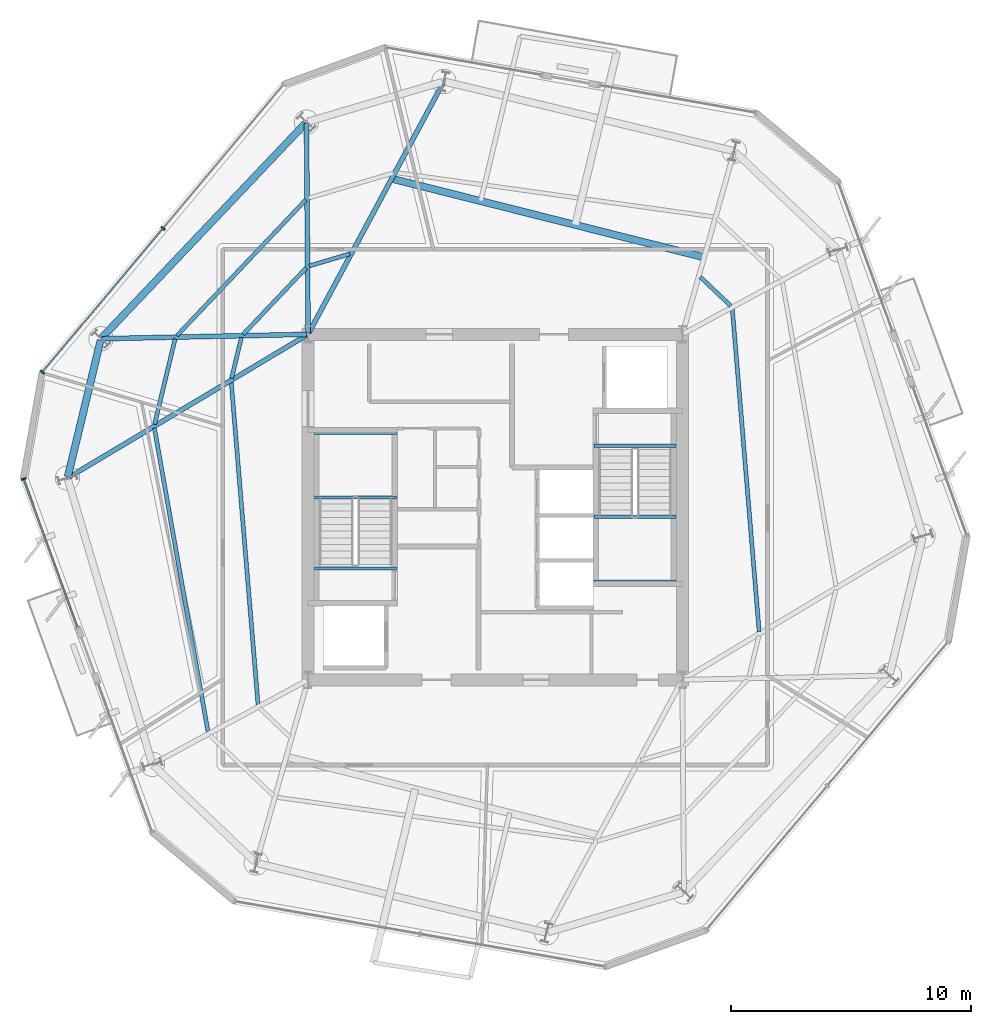
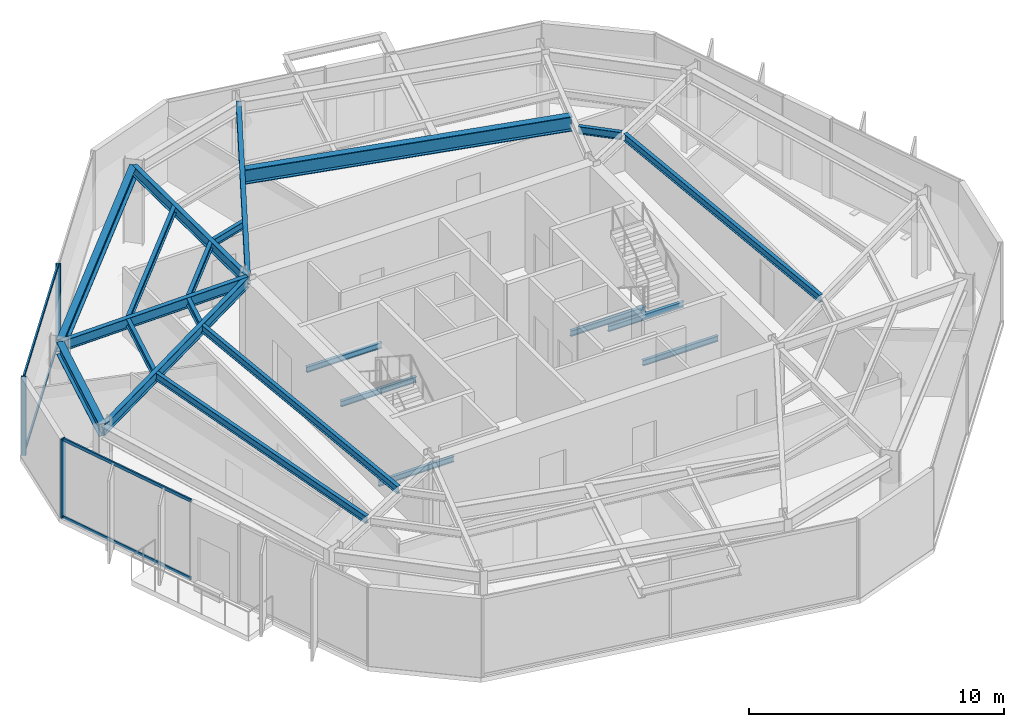
# One storey, part 3 of 11: 22 beams, 7 members, 2 elements without a shape of their own.
"""IFC4 building model written with IfcOpenShell, lengths in metres."""

from ifc_helpers import new_model, si_unit, direction, frame, origin, origin_2d, place, context, subcontext, project, spatial, rectangle, i_section, extrude, material, layer, layer_set, material_profile, profile_set, type_object, element, aggregate, save


model = new_model("IFC4")

# Units and contexts
model_context = context("Model", 3, precision=1e-05, world=origin(), true_north=direction((0.0, 1.0)))
body_context = subcontext(model_context, "Body", "Model", "MODEL_VIEW")
ifc_project = project(units=[si_unit("LENGTHUNIT", "METRE"), si_unit("AREAUNIT", "SQUARE_METRE"), si_unit("VOLUMEUNIT", "CUBIC_METRE"), si_unit("PLANEANGLEUNIT", "RADIAN"), si_unit("MASSUNIT", "GRAM", prefix="KILO")], contexts=[model_context])

# Site, building, storey
site_placement = place(None, origin())
site = spatial("IfcSite", under=ifc_project, at=site_placement, CompositionType="ELEMENT")
building_placement = place(site_placement, origin())
building = spatial("IfcBuilding", under=site, at=building_placement, Name="Kranzbogen Civic Tower", CompositionType="ELEMENT")
storey_placement = place(building_placement, frame((0.0, 0.0, 224.800048828125)))
storey = spatial("IfcBuildingStorey", under=building, at=storey_placement, Name="L54", CompositionType="ELEMENT", Elevation=224.800048828125)

# Curtain wall, members
ifc_material_1 = material(Name="Pale Anodised Aluminium", Category="aluminium")
ifc_layer = layer(ifc_material_1, 0.219970703125, Name="Pale Anodised Aluminium")
ifc_layer_set = layer_set([ifc_layer], Name="Pale Anodised Aluminium")
curtain_wall_type = type_object("IfcCurtainWallType", Name="Zone 3 Stick Curtain Wall System CW-04", PredefinedType="USERDEFINED", material=ifc_layer_set)
curtain_wall_1_placement = place(storey_placement, origin())
curtain_wall_1 = element("IfcCurtainWall", 1, at=curtain_wall_1_placement, inside=storey, type_object=curtain_wall_type, Name="L54 curtain wall CW-L54-F2", ObjectType="STICK CURTAIN WALL", PredefinedType="USERDEFINED")
ifc_material_profile_1 = material_profile(ifc_material_1, rectangle(XDim=0.070068359375, YDim=0.199951171875, at=origin_2d()), Name="ALU-M 70x200")
ifc_profile_set_1 = profile_set([ifc_material_profile_1], Name="Pale Anodised Aluminium")
member_type_1 = type_object("IfcMemberType", Name="Curtain Wall Mullion ALU-M 70x200", PredefinedType="MULLION", material=ifc_profile_set_1)
member_1_placement = place(storey_placement, frame((11.156005859375, 36.616455078125, 0.0), z_axis=(0.0, 0.0, 1.0), x_axis=(-0.642754513529, -0.766072212874, 0.0)))
member_1 = element("IfcMember", 2, at=member_1_placement, type_object=member_type_1, Name="CW-04 mullion 2", PredefinedType="MULLION", context=body_context, shape_type="SweptSolid", body=[
    extrude(rectangle(XDim=0.070068359375, YDim=0.199951171875, at=origin_2d()), origin(), (0.0, 0.0, 1.0), 3.780029296875),
])
member_2_placement = place(storey_placement, frame((6.127197265625, 30.623046875, 0.0), z_axis=(0.0, 0.0, 1.0), x_axis=(-0.642754513529, -0.766072212874, 0.0)))
member_2 = element("IfcMember", 3, at=member_2_placement, type_object=member_type_1, Name="CW-04 mullion 3", PredefinedType="MULLION", context=body_context, shape_type="SweptSolid", body=[
    extrude(rectangle(XDim=0.070068359375, YDim=0.199951171875, at=origin_2d()), origin(), (0.0, 0.0, 1.0), 3.780029296875),
])

# Curtain wall, member
curtain_wall_2_placement = place(storey_placement, origin())
curtain_wall_2 = element("IfcCurtainWall", 4, at=curtain_wall_2_placement, inside=storey, type_object=curtain_wall_type, Name="L54 curtain wall CW-L54-F3-S1", ObjectType="STICK CURTAIN WALL", PredefinedType="USERDEFINED")
member_3_placement = place(storey_placement, frame((5.34228515625, 26.1708984375, 0.0), z_axis=(0.0, 0.0, 1.0), x_axis=(0.342032633583, -0.93968807461, 0.0)))
member_3 = element("IfcMember", 5, at=member_3_placement, type_object=member_type_1, Name="CW-04 mullion 1", PredefinedType="MULLION", context=body_context, shape_type="SweptSolid", body=[
    extrude(rectangle(XDim=0.070068359375, YDim=0.199951171875, at=origin_2d()), origin(), (0.0, 0.0, 1.0), 3.780029296875),
])

# Member
ifc_material_profile_2 = material_profile(ifc_material_1, rectangle(XDim=0.070068359375, YDim=0.14990234375, at=origin_2d()), Name="ALU-T 70x150")
ifc_profile_set_2 = profile_set([ifc_material_profile_2], Name="Pale Anodised Aluminium")
member_type_2 = type_object("IfcMemberType", Name="Curtain Wall Transom ALU-T 70x150", PredefinedType="USERDEFINED", material=ifc_profile_set_2)
member_4_placement = place(storey_placement, frame((11.13671875, 36.593505859375, 0.030029296875), z_axis=(-0.642763507001, -0.766064667028, 0.0), x_axis=(0.766064667028, -0.642763507001, 0.0)))
member_4 = element("IfcMember", 6, at=member_4_placement, type_object=member_type_2, Name="CW-04 transom 2.1", ObjectType="TRANSOM", PredefinedType="USERDEFINED", context=body_context, shape_type="SweptSolid", body=[
    extrude(rectangle(XDim=0.070068359375, YDim=0.14990234375, at=origin_2d()), origin(), (0.0, 0.0, 1.0), 7.763671875),
])

member_5_placement = place(storey_placement, frame((11.13671875, 36.593505859375, 3.75), z_axis=(-0.642763507001, -0.766064667028, 0.0), x_axis=(0.766064667028, -0.642763507001, 0.0)))
member_5 = element("IfcMember", 7, at=member_5_placement, type_object=member_type_2, Name="CW-04 transom 2.2", ObjectType="TRANSOM", PredefinedType="USERDEFINED", context=body_context, shape_type="SweptSolid", body=[
    extrude(rectangle(XDim=0.070068359375, YDim=0.14990234375, at=origin_2d()), origin(), (0.0, 0.0, 1.0), 7.763671875),
])

aggregate(curtain_wall_1, [member_1, member_2, member_4, member_5])

member_6_placement = place(storey_placement, frame((5.3525390625, 26.142578125, 0.030029296875), z_axis=(0.342025046316, -0.939690836229, 0.0), x_axis=(0.939690836229, 0.342025046316, 0.0)))
member_6 = element("IfcMember", 8, at=member_6_placement, type_object=member_type_2, Name="CW-04 transom 1.1", ObjectType="TRANSOM", PredefinedType="USERDEFINED", context=body_context, shape_type="SweptSolid", body=[
    extrude(rectangle(XDim=0.070068359375, YDim=0.14990234375, at=origin_2d()), origin(), (0.0, 0.0, 1.0), 6.5341796875),
])

member_7_placement = place(storey_placement, frame((5.3525390625, 26.142578125, 3.75), z_axis=(0.342025046316, -0.939690836229, 0.0), x_axis=(0.939690836229, 0.342025046316, 0.0)))
member_7 = element("IfcMember", 9, at=member_7_placement, type_object=member_type_2, Name="CW-04 transom 1.2", ObjectType="TRANSOM", PredefinedType="USERDEFINED", context=body_context, shape_type="SweptSolid", body=[
    extrude(rectangle(XDim=0.070068359375, YDim=0.14990234375, at=origin_2d()), origin(), (0.0, 0.0, 1.0), 6.5341796875),
])

aggregate(curtain_wall_2, [member_3, member_6, member_7])

# Beams
ifc_material_2 = material(Name="Steel S355", Category="steel")
ifc_material_profile_3 = material_profile(ifc_material_2, i_section(OverallWidth=0.300048828125, OverallDepth=0.60009765625, WebThickness=0.015380859375, FlangeThickness=0.030029296875, at=origin_2d()), Name="HEB 600")
ifc_profile_set_3 = profile_set([ifc_material_profile_3], Name="Steel S355")
beam_type_1 = type_object("IfcBeamType", Name="Perimeter Tube Spandrel Beam HEB 600", PredefinedType="SPANDREL", material=ifc_profile_set_3)
beam_1_placement = place(storey_placement, frame((17.092041015625, 41.0, 3.47998046875), z_axis=(-0.688373497874, -0.725356414065, 0.0), x_axis=(0.725356414065, -0.688373497874, 0.0)))
element("IfcBeam", 10, at=beam_1_placement, inside=storey, type_object=beam_type_1, Name="L54 perimeter spandrel beam 10", PredefinedType="SPANDREL", context=body_context, shape_type="SweptSolid", body=[
    extrude(i_section(OverallWidth=0.300048828125, OverallDepth=0.60009765625, WebThickness=0.015380859375, FlangeThickness=0.030029296875, at=origin_2d()), origin(), (0.0, 0.0, 1.0), 12.324951171875),
])
beam_2_placement = place(storey_placement, frame((8.552978515625, 31.9580078125, 3.47998046875), z_axis=(-0.233554380434, -0.972343741369, 0.0), x_axis=(0.972343741369, -0.233554380434, 0.0)))
element("IfcBeam", 11, at=beam_2_placement, inside=storey, type_object=beam_type_1, Name="L54 perimeter spandrel beam 11", PredefinedType="SPANDREL", context=body_context, shape_type="SweptSolid", body=[
    extrude(i_section(OverallWidth=0.300048828125, OverallDepth=0.60009765625, WebThickness=0.015380859375, FlangeThickness=0.030029296875, at=origin_2d()), origin(), (0.0, 0.0, 1.0), 5.852783203125),
])
ifc_material_profile_4 = material_profile(ifc_material_2, i_section(OverallWidth=0.300048828125, OverallDepth=0.699951171875, WebThickness=0.01708984375, FlangeThickness=0.031982421875, at=origin_2d()), Name="HEB 700")
ifc_profile_set_4 = profile_set([ifc_material_profile_4], Name="Steel S355")
beam_type_2 = type_object("IfcBeamType", Name="Perimeter Tube Spandrel Beam HEB 700", PredefinedType="SPANDREL", material=ifc_profile_set_4)
beam_3_placement = place(storey_placement, frame((33.7080078125, 35.408935546875, 3.39990234375), z_axis=(-0.969754167823, 0.244083702834, 0.0), x_axis=(-0.244083702834, -0.969754167823, 0.0)))
element("IfcBeam", 12, at=beam_3_placement, inside=storey, type_object=beam_type_2, Name="L55 balcony back-span header girder L55-TB2", PredefinedType="SPANDREL", context=body_context, shape_type="SweptSolid", body=[
    extrude(i_section(OverallWidth=0.300048828125, OverallDepth=0.699951171875, WebThickness=0.01708984375, FlangeThickness=0.031982421875, at=origin_2d()), origin(), (0.0, 0.0, 1.0), 13.43017578125),
])
ifc_material_profile_5 = material_profile(ifc_material_2, i_section(OverallWidth=0.199951171875, OverallDepth=0.5, WebThickness=0.01025390625, FlangeThickness=0.01611328125, at=origin_2d()), Name="IPE 500")
ifc_profile_set_5 = profile_set([ifc_material_profile_5], Name="Steel S355")
beam_type_3 = type_object("IfcBeamType", Name="Radial Tower Floor Girder IPE 500", PredefinedType="BEAM", material=ifc_profile_set_5)
beam_4_placement = place(storey_placement, frame((22.83203125, 42.68701171875, 3.530029296875), z_axis=(-0.473160413549, -0.880976289721, 0.0), x_axis=(0.880976289721, -0.473160413549, 0.0)))
element("IfcBeam", 13, at=beam_4_placement, inside=storey, type_object=beam_type_3, Name="L54 radial floor girder 09", PredefinedType="BEAM", context=body_context, shape_type="SweptSolid", body=[
    extrude(i_section(OverallWidth=0.199951171875, OverallDepth=0.5, WebThickness=0.01025390625, FlangeThickness=0.01611328125, at=origin_2d()), origin(), (0.0, 0.0, 1.0), 11.84375),
])
beam_5_placement = place(storey_placement, frame((17.133056640625, 40.98388671875, 3.530029296875), z_axis=(0.007667756557, -0.999970602323, 0.0), x_axis=(0.999970602323, 0.007667756557, 0.0)))
element("IfcBeam", 14, at=beam_5_placement, inside=storey, type_object=beam_type_3, Name="L54 radial floor girder 10", PredefinedType="BEAM", context=body_context, shape_type="SweptSolid", body=[
    extrude(i_section(OverallWidth=0.199951171875, OverallDepth=0.5, WebThickness=0.01025390625, FlangeThickness=0.01611328125, at=origin_2d()), origin(), (0.0, 0.0, 1.0), 8.72412109375),
])
beam_6_placement = place(storey_placement, frame((8.626953125, 32.01708984375, 3.530029296875), z_axis=(0.99977183191, 0.021360808018, 0.0), x_axis=(-0.021360808018, 0.99977183191, 0.0)))
element("IfcBeam", 15, at=beam_6_placement, inside=storey, type_object=beam_type_3, Name="L54 radial floor girder 11", PredefinedType="BEAM", context=body_context, shape_type="SweptSolid", body=[
    extrude(i_section(OverallWidth=0.199951171875, OverallDepth=0.5, WebThickness=0.01025390625, FlangeThickness=0.01611328125, at=origin_2d()), origin(), (0.0, 0.0, 1.0), 8.514892578125),
])
beam_7_placement = place(storey_placement, frame((7.22412109375, 26.239990234375, 3.530029296875), z_axis=(0.858458551809, 0.512882944565, 0.0), x_axis=(-0.512882944565, 0.858458551809, 0.0)))
element("IfcBeam", 16, at=beam_7_placement, inside=storey, type_object=beam_type_3, Name="L54 radial floor girder 12", PredefinedType="BEAM", context=body_context, shape_type="SweptSolid", body=[
    extrude(i_section(OverallWidth=0.199951171875, OverallDepth=0.5, WebThickness=0.01025390625, FlangeThickness=0.01611328125, at=origin_2d()), origin(), (0.0, 0.0, 1.0), 11.56005859375),
])
ifc_material_profile_6 = material_profile(ifc_material_2, i_section(OverallWidth=0.169921875, OverallDepth=0.360107421875, WebThickness=0.008056640625, FlangeThickness=0.0126953125, at=origin_2d()), Name="IPE 360")
ifc_profile_set_6 = profile_set([ifc_material_profile_6], Name="Steel S355")
beam_type_4 = type_object("IfcBeamType", Name="Secondary Composite Floor Joist IPE 360", PredefinedType="JOIST", material=ifc_profile_set_6)
beam_8_placement = place(storey_placement, frame((36.001953125, 19.797119140625, 3.599853515625), z_axis=(-0.082825426692, 0.996564071544, 0.0), x_axis=(-0.996564071544, -0.082825426692, 0.0)))
element("IfcBeam", 17, at=beam_8_placement, inside=storey, type_object=beam_type_4, Name="L54 secondary floor joist 2.06", PredefinedType="JOIST", context=body_context, shape_type="SweptSolid", body=[
    extrude(i_section(OverallWidth=0.169921875, OverallDepth=0.360107421875, WebThickness=0.008056640625, FlangeThickness=0.0126953125, at=origin_2d()), origin(), (0.0, 0.0, 1.0), 13.497314453125),
])
beam_9_placement = place(storey_placement, frame((34.820068359375, 33.383056640625, 3.599853515625), z_axis=(-0.725479767774, 0.688243493649, 0.0), x_axis=(-0.688243493649, -0.725479767774, 0.0)))
element("IfcBeam", 18, at=beam_9_placement, inside=storey, type_object=beam_type_4, Name="L54 secondary floor joist 2.07", PredefinedType="JOIST", context=body_context, shape_type="SweptSolid", body=[
    extrude(i_section(OverallWidth=0.169921875, OverallDepth=0.360107421875, WebThickness=0.008056640625, FlangeThickness=0.0126953125, at=origin_2d()), origin(), (0.0, 0.0, 1.0), 1.75048828125),
])
beam_10_placement = place(storey_placement, frame((18.93408203125, 35.550048828125, 3.599853515625), z_axis=(-0.958871214757, -0.283841493638, 0.0), x_axis=(0.283841493638, -0.958871214757, 0.0)))
element("IfcBeam", 19, at=beam_10_placement, inside=storey, type_object=beam_type_4, Name="L54 secondary floor joist 2.09", PredefinedType="JOIST", context=body_context, shape_type="SweptSolid", body=[
    extrude(i_section(OverallWidth=0.169921875, OverallDepth=0.360107421875, WebThickness=0.008056640625, FlangeThickness=0.0126953125, at=origin_2d()), origin(), (0.0, 0.0, 1.0), 1.751220703125),
])
beam_11_placement = place(storey_placement, frame((17.10205078125, 37.802001953125, 3.599853515625), z_axis=(-0.688282381634, -0.725442873789, 0.0), x_axis=(0.725442873789, -0.688282381634, 0.0)))
element("IfcBeam", 20, at=beam_11_placement, inside=storey, type_object=beam_type_4, Name="L54 secondary floor joist 1.10", PredefinedType="JOIST", context=body_context, shape_type="SweptSolid", body=[
    extrude(i_section(OverallWidth=0.169921875, OverallDepth=0.360107421875, WebThickness=0.008056640625, FlangeThickness=0.0126953125, at=origin_2d()), origin(), (0.0, 0.0, 1.0), 7.804931640625),
])
beam_12_placement = place(storey_placement, frame((17.123046875, 34.971923828125, 3.599853515625), z_axis=(-0.688175084876, -0.725544659243, 0.0), x_axis=(0.725544659243, -0.688175084876, 0.0)))
element("IfcBeam", 21, at=beam_12_placement, inside=storey, type_object=beam_type_4, Name="L54 secondary floor joist 2.10", PredefinedType="JOIST", context=body_context, shape_type="SweptSolid", body=[
    extrude(i_section(OverallWidth=0.169921875, OverallDepth=0.360107421875, WebThickness=0.008056640625, FlangeThickness=0.0126953125, at=origin_2d()), origin(), (0.0, 0.0, 1.0), 3.82177734375),
])
beam_13_placement = place(storey_placement, frame((11.656005859375, 32.00390625, 3.599853515625), z_axis=(-0.233534367714, -0.972348548154, 0.0), x_axis=(0.972348548154, -0.233534367714, 0.0)))
element("IfcBeam", 22, at=beam_13_placement, inside=storey, type_object=beam_type_4, Name="L54 secondary floor joist 1.11", PredefinedType="JOIST", context=body_context, shape_type="SweptSolid", body=[
    extrude(i_section(OverallWidth=0.169921875, OverallDepth=0.360107421875, WebThickness=0.008056640625, FlangeThickness=0.0126953125, at=origin_2d()), origin(), (0.0, 0.0, 1.0), 3.6611328125),
])
beam_14_placement = place(storey_placement, frame((14.4189453125, 32.06298828125, 3.599853515625), z_axis=(-0.233631438607, -0.972325228972, 0.0), x_axis=(0.972325228972, -0.233631438607, 0.0)))
element("IfcBeam", 23, at=beam_14_placement, inside=storey, type_object=beam_type_4, Name="L54 secondary floor joist 2.11", PredefinedType="JOIST", context=body_context, shape_type="SweptSolid", body=[
    extrude(i_section(OverallWidth=0.169921875, OverallDepth=0.360107421875, WebThickness=0.008056640625, FlangeThickness=0.0126953125, at=origin_2d()), origin(), (0.0, 0.0, 1.0), 1.750244140625),
])
beam_15_placement = place(storey_placement, frame((10.7958984375, 28.287109375, 3.599853515625), z_axis=(0.173805911364, -0.984779927281, 0.0), x_axis=(0.984779927281, 0.173805911364, 0.0)))
element("IfcBeam", 24, at=beam_15_placement, inside=storey, type_object=beam_type_4, Name="L54 secondary floor joist 1.12", PredefinedType="JOIST", context=body_context, shape_type="SweptSolid", body=[
    extrude(i_section(OverallWidth=0.169921875, OverallDepth=0.360107421875, WebThickness=0.008056640625, FlangeThickness=0.0126953125, at=origin_2d()), origin(), (0.0, 0.0, 1.0), 12.85986328125),
])
beam_16_placement = place(storey_placement, frame((13.998046875, 30.202880859375, 3.599853515625), z_axis=(0.082825426692, -0.996564071544, 0.0), x_axis=(0.996564071544, 0.082825426692, 0.0)))
element("IfcBeam", 25, at=beam_16_placement, inside=storey, type_object=beam_type_4, Name="L54 secondary floor joist 2.12", PredefinedType="JOIST", context=body_context, shape_type="SweptSolid", body=[
    extrude(i_section(OverallWidth=0.169921875, OverallDepth=0.360107421875, WebThickness=0.008056640625, FlangeThickness=0.0126953125, at=origin_2d()), origin(), (0.0, 0.0, 1.0), 13.497314453125),
])
ifc_material_profile_7 = material_profile(ifc_material_2, i_section(OverallWidth=0.135009765625, OverallDepth=0.27001953125, WebThickness=0.006591796875, FlangeThickness=0.01025390625, at=origin_2d()), Name="IPE 270")
ifc_profile_set_7 = profile_set([ifc_material_profile_7], Name="Steel S355")
beam_type_5 = type_object("IfcBeamType", Name="Stair Landing Support Beam IPE 270", PredefinedType="JOIST", material=ifc_profile_set_7)
for number, where, z_axis, x_axis, name in (
    (26, (20.8798828125, 22.43994140625, -0.35498046875), (-1.0, 0.0, 0.0), (0.0, -1.0, 0.0), "L54 ST-T1 stair floor header beam"),
    (27, (20.8798828125, 25.39990234375, 1.6650390625), (-1.0, 0.0, 0.0), (0.0, -1.0, 0.0), "L54 ST-T1 landing support beam 1.1"),
    (28, (20.8798828125, 28.10009765625, 1.6650390625), (-1.0, 0.0, 0.0), (0.0, -1.0, 0.0), "L54 ST-T1 landing support beam 1.2"),
    (29, (29.1201171875, 27.56005859375, -0.35498046875), (1.0, 0.0, 0.0), (0.0, 1.0, 0.0), "L54 ST-T2 stair floor header beam"),
    (30, (29.1201171875, 24.60009765625, 1.6650390625), (1.0, 0.0, 0.0), (0.0, 1.0, 0.0), "L54 ST-T2 landing support beam 1.1"),
    (31, (29.1201171875, 21.89990234375, 1.6650390625), (1.0, 0.0, 0.0), (0.0, 1.0, 0.0), "L54 ST-T2 landing support beam 1.2"),
):
    element("IfcBeam", number, at=place(storey_placement, frame(where, z_axis=z_axis, x_axis=x_axis)), inside=storey, type_object=beam_type_5, Name=name, PredefinedType="JOIST", context=body_context, shape_type="SweptSolid", body=[
        extrude(i_section(OverallWidth=0.135009765625, OverallDepth=0.27001953125, WebThickness=0.006591796875, FlangeThickness=0.01025390625, at=origin_2d()), origin(), (0.0, 0.0, 1.0), 3.409912109375),
    ])

save(model, "model.ifc")
